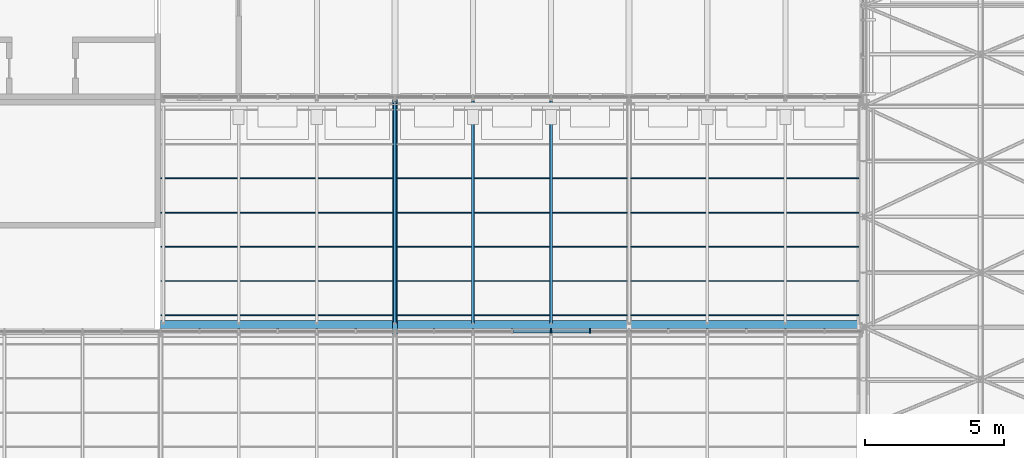
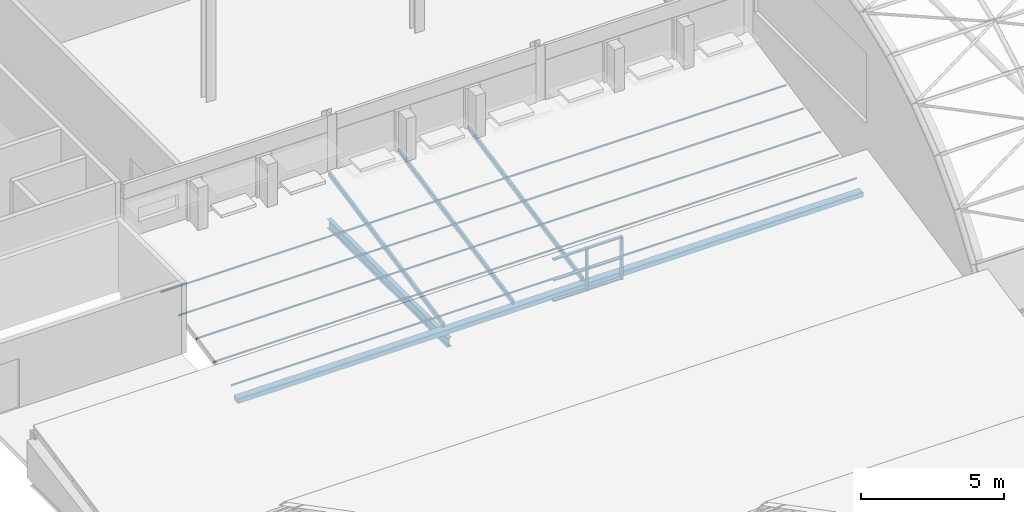
# One storey, part 34 of 121: 17 members, 1 beam, 1 element without a shape of its own.
"""IFC4 building model written with IfcOpenShell, lengths in metres."""

from ifc_helpers import new_model, si_unit, direction, frame, origin, origin_2d, place, context, subcontext, project, spatial, rectangle, hollow_rectangle, i_section, extrude, material, layer, layer_set, material_profile, profile_set, type_object, element, aggregate, save


model = new_model("IFC4")

# Units and contexts
model_context = context("Model", 3, precision=1e-05, world=origin(), true_north=direction((0.0, 1.0)))
body_context = subcontext(model_context, "Body", "Model", "MODEL_VIEW")
ifc_project = project(units=[si_unit("LENGTHUNIT", "METRE"), si_unit("AREAUNIT", "SQUARE_METRE"), si_unit("VOLUMEUNIT", "CUBIC_METRE"), si_unit("PLANEANGLEUNIT", "RADIAN"), si_unit("MASSUNIT", "GRAM", prefix="KILO")], contexts=[model_context])

# Site, building, storey
site_placement = place(None, origin())
site = spatial("IfcSite", under=ifc_project, at=site_placement, CompositionType="ELEMENT")
building_placement = place(site_placement, origin())
building = spatial("IfcBuilding", under=site, at=building_placement, Name="Ardhachandra Cancer Care Centre", CompositionType="ELEMENT")
storey_placement = place(building_placement, frame((0.0, 0.0, 9.0)))
storey = spatial("IfcBuildingStorey", under=building, at=storey_placement, Name="L02", CompositionType="ELEMENT", Elevation=9.0)

# Beam
ifc_material_1 = material(Name="Steel E350 (IS 2062)", Category="steel")
ifc_material_profile_1 = material_profile(ifc_material_1, i_section(OverallWidth=0.179931640625, OverallDepth=0.39990234375, WebThickness=0.008544921875, FlangeThickness=0.013427734375, FilletRadius=0.02099609375, at=origin_2d()), Name="NPB 400x180x66.30")
ifc_profile_set_1 = profile_set([ifc_material_profile_1], Name="Steel E350 (IS 2062)")
beam_type = type_object("IfcBeamType", Name="Beam NPB 400x180x66.30", PredefinedType="BEAM", material=ifc_profile_set_1)
beam_placement = place(storey_placement, frame((27.60009765625, 63.0, -0.199951171875), z_axis=(0.0, 1.0, 0.0), x_axis=(-1.0, 0.0, 0.0)))
element("IfcBeam", 1, at=beam_placement, inside=storey, type_object=beam_type, Name="Roof girder G3-H3", PredefinedType="BEAM", context=body_context, shape_type="SweptSolid", body=[
    extrude(i_section(OverallWidth=0.179931640625, OverallDepth=0.39990234375, WebThickness=0.008544921875, FlangeThickness=0.013427734375, FilletRadius=0.02099609375, at=origin_2d()), origin(), (0.0, 0.0, 1.0), 8.39990234375),
])

# Curtain wall, members
ifc_material_2 = material(Name="Aluminium extrusion", Category="aluminium")
ifc_layer = layer(ifc_material_2, 0.14990234375)
ifc_layer_set = layer_set([ifc_layer], Name="Aluminium extrusion")
curtain_wall_type = type_object("IfcCurtainWallType", Name="Curtain wall run", PredefinedType="NOTDEFINED", material=ifc_layer_set)
curtain_wall_placement = place(storey_placement, origin())
curtain_wall = element("IfcCurtainWall", 2, at=curtain_wall_placement, inside=storey, type_object=curtain_wall_type, Name="Curtain wall L02 n/0010800_0063100", PredefinedType="NOTDEFINED")
ifc_material_3 = material(Name="Aluminium extrusion", Category="aluminium")
ifc_material_profile_2 = material_profile(ifc_material_3, rectangle(XDim=0.159912109375, YDim=0.06005859375, at=origin_2d()), Name="Curtain wall mullion 60 x 160")
ifc_profile_set_2 = profile_set([ifc_material_profile_2], Name="Aluminium extrusion")
member_type_1 = type_object("IfcMemberType", Name="Curtain wall mullion 60 x 160", PredefinedType="MULLION", material=ifc_profile_set_2)
member_1_placement = place(storey_placement, frame((33.199951171875, 63.10009765625, 0.0), z_axis=(0.0, 0.0, 1.0), x_axis=(0.0, 1.0, 0.0)))
member_1 = element("IfcMember", 3, at=member_1_placement, type_object=member_type_1, Name="CW mullion 17", PredefinedType="MULLION", context=body_context, shape_type="SweptSolid", body=[
    extrude(rectangle(XDim=0.159912109375, YDim=0.06005859375, at=origin_2d()), origin(), (0.0, 0.0, 1.0), 1.820068359375),
])
member_2_placement = place(storey_placement, frame((34.60009765625, 63.10009765625, 0.0), z_axis=(0.0, 0.0, 1.0), x_axis=(0.0, 1.0, 0.0)))
member_2 = element("IfcMember", 4, at=member_2_placement, type_object=member_type_1, Name="CW mullion 18", PredefinedType="MULLION", context=body_context, shape_type="SweptSolid", body=[
    extrude(rectangle(XDim=0.159912109375, YDim=0.06005859375, at=origin_2d()), origin(), (0.0, 0.0, 1.0), 1.820068359375),
])
ifc_material_4 = material(Name="Aluminium extrusion", Category="aluminium")
ifc_material_profile_3 = material_profile(ifc_material_4, rectangle(XDim=0.1201171875, YDim=0.06005859375, at=origin_2d()), Name="Curtain wall transom 60 x 120")
ifc_profile_set_3 = profile_set([ifc_material_profile_3], Name="Aluminium extrusion")
member_type_2 = type_object("IfcMemberType", Name="Curtain wall transom 60 x 120", PredefinedType="USERDEFINED", material=ifc_profile_set_3)
member_3_placement = place(storey_placement, frame((31.830078125, 63.10009765625, 0.030029296875), z_axis=(1.0, 0.0, 0.0), x_axis=(0.0, 1.0, 0.0)))
member_3 = element("IfcMember", 5, at=member_3_placement, type_object=member_type_2, Name="CW transom 16.1", ObjectType="TRANSOM", PredefinedType="USERDEFINED", context=body_context, shape_type="SweptSolid", body=[
    extrude(rectangle(XDim=0.1201171875, YDim=0.06005859375, at=origin_2d()), origin(), (0.0, 0.0, 1.0), 1.33984375),
])
member_4_placement = place(storey_placement, frame((31.830078125, 63.10009765625, 0.909912109375), z_axis=(1.0, 0.0, 0.0), x_axis=(0.0, 1.0, 0.0)))
member_4 = element("IfcMember", 6, at=member_4_placement, type_object=member_type_2, Name="CW transom 16.2", ObjectType="TRANSOM", PredefinedType="USERDEFINED", context=body_context, shape_type="SweptSolid", body=[
    extrude(rectangle(XDim=0.1201171875, YDim=0.06005859375, at=origin_2d()), origin(), (0.0, 0.0, 1.0), 1.33984375),
])
member_5_placement = place(storey_placement, frame((31.830078125, 63.10009765625, 1.7900390625), z_axis=(1.0, 0.0, 0.0), x_axis=(0.0, 1.0, 0.0)))
member_5 = element("IfcMember", 7, at=member_5_placement, type_object=member_type_2, Name="CW transom 16.3", ObjectType="TRANSOM", PredefinedType="USERDEFINED", context=body_context, shape_type="SweptSolid", body=[
    extrude(rectangle(XDim=0.1201171875, YDim=0.06005859375, at=origin_2d()), origin(), (0.0, 0.0, 1.0), 1.33984375),
])
member_6_placement = place(storey_placement, frame((33.22998046875, 63.10009765625, 0.030029296875), z_axis=(1.0, 0.0, 0.0), x_axis=(0.0, 1.0, 0.0)))
member_6 = element("IfcMember", 8, at=member_6_placement, type_object=member_type_2, Name="CW transom 17.1", ObjectType="TRANSOM", PredefinedType="USERDEFINED", context=body_context, shape_type="SweptSolid", body=[
    extrude(rectangle(XDim=0.1201171875, YDim=0.06005859375, at=origin_2d()), origin(), (0.0, 0.0, 1.0), 1.340087890625),
])
member_7_placement = place(storey_placement, frame((33.22998046875, 63.10009765625, 0.909912109375), z_axis=(1.0, 0.0, 0.0), x_axis=(0.0, 1.0, 0.0)))
member_7 = element("IfcMember", 9, at=member_7_placement, type_object=member_type_2, Name="CW transom 17.2", ObjectType="TRANSOM", PredefinedType="USERDEFINED", context=body_context, shape_type="SweptSolid", body=[
    extrude(rectangle(XDim=0.1201171875, YDim=0.06005859375, at=origin_2d()), origin(), (0.0, 0.0, 1.0), 1.340087890625),
])
member_8_placement = place(storey_placement, frame((33.22998046875, 63.10009765625, 1.7900390625), z_axis=(1.0, 0.0, 0.0), x_axis=(0.0, 1.0, 0.0)))
member_8 = element("IfcMember", 10, at=member_8_placement, type_object=member_type_2, Name="CW transom 17.3", ObjectType="TRANSOM", PredefinedType="USERDEFINED", context=body_context, shape_type="SweptSolid", body=[
    extrude(rectangle(XDim=0.1201171875, YDim=0.06005859375, at=origin_2d()), origin(), (0.0, 0.0, 1.0), 1.340087890625),
])
aggregate(curtain_wall, [member_1, member_2, member_3, member_4, member_5, member_6, member_7, member_8])

# Members
ifc_material_5 = material(Name="Steel E350 (IS 2062)", Category="steel")
ifc_material_profile_4 = material_profile(ifc_material_5, hollow_rectangle(XDim=0.0400390625, YDim=0.080078125, WallThickness=0.00390625, InnerFilletRadius=0.00390625, OuterFilletRadius=0.008056640625, at=origin_2d()), Name="RHS 80x40x4.0")
ifc_profile_set_4 = profile_set([ifc_material_profile_4], Name="Steel E350 (IS 2062)")
member_type_3 = type_object("IfcMemberType", Name="Roof purlin RHS 80x40x4.0", PredefinedType="PURLIN", material=ifc_profile_set_4)
for number, where, z_axis, x_axis, name in (
    (11, (19.199951171875, 63.67236328125, 0.5), (1.0, 0.0, 0.0), (0.0, 0.980106641092, 0.198471590126), "Purlin T5a.1"),
    (12, (19.199951171875, 64.89892578125, 0.74853515625), (1.0, 0.0, 0.0), (0.0, 0.980106641092, 0.198471590126), "Purlin T5a.2"),
    (13, (19.199951171875, 66.125732421875, 0.996826171875), (1.0, 0.0, 0.0), (0.0, 0.980106641092, 0.198471590126), "Purlin T5a.3"),
    (14, (19.199951171875, 67.352294921875, 1.2451171875), (1.0, 0.0, 0.0), (0.0, 0.980106641092, 0.198471590126), "Purlin T5a.4"),
    (15, (19.199951171875, 68.5791015625, 1.49365234375), (1.0, 0.0, 0.0), (0.0, 0.980106641092, 0.198471590126), "Purlin T5a.5"),
):
    element("IfcMember", number, at=place(storey_placement, frame(where, z_axis=z_axis, x_axis=x_axis)), inside=storey, type_object=member_type_3, Name=name, PredefinedType="PURLIN", context=body_context, shape_type="SweptSolid", body=[
        extrude(hollow_rectangle(XDim=0.0400390625, YDim=0.080078125, WallThickness=0.00390625, InnerFilletRadius=0.00390625, OuterFilletRadius=0.008056640625, at=origin_2d()), origin(), (0.0, 0.0, 1.0), 25.199951171875),
    ])
ifc_material_6 = material(Name="Steel E350 (IS 2062)", Category="steel")
ifc_material_profile_5 = material_profile(ifc_material_6, hollow_rectangle(XDim=0.10009765625, YDim=0.199951171875, WallThickness=0.006103515625, InnerFilletRadius=0.006103515625, OuterFilletRadius=0.011962890625, at=origin_2d()), Name="RHS 200x100x6.0")
ifc_profile_set_5 = profile_set([ifc_material_profile_5], Name="Steel E350 (IS 2062)")
member_type_4 = type_object("IfcMemberType", Name="Roof rafter RHS 200x100x6.0", PredefinedType="RAFTER", material=ifc_profile_set_5)
for number, where, z_axis, x_axis, name in (
    (16, (27.60009765625, 63.380126953125, 0.298095703125), (0.0, 0.980109665583, 0.198456653782), (-1.0, 0.0, 0.0), "Rafter T5a.4"),
    (17, (30.39990234375, 63.380126953125, 0.298095703125), (0.0, 0.980109665583, 0.198456653782), (-1.0, 0.0, 0.0), "Rafter T5a.5"),
    (18, (33.199951171875, 63.380126953125, 0.298095703125), (0.0, 0.980109665583, 0.198456653782), (-1.0, 0.0, 0.0), "Rafter T5a.6"),
):
    element("IfcMember", number, at=place(storey_placement, frame(where, z_axis=z_axis, x_axis=x_axis)), inside=storey, type_object=member_type_4, Name=name, PredefinedType="RAFTER", context=body_context, shape_type="SweptSolid", body=[
        extrude(hollow_rectangle(XDim=0.10009765625, YDim=0.199951171875, WallThickness=0.006103515625, InnerFilletRadius=0.006103515625, OuterFilletRadius=0.011962890625, at=origin_2d()), origin(), (0.0, 0.0, 1.0), 8.162353515625),
    ])
ifc_material_7 = material(Name="Stainless steel sheet gutter on galvanised steel cradle", Category="steel")
ifc_material_profile_6 = material_profile(ifc_material_7, rectangle(XDim=0.300048828125, YDim=0.199951171875, at=origin_2d()), Name="Valley gutter 300 x 200")
ifc_profile_set_6 = profile_set([ifc_material_profile_6], Name="Stainless steel sheet gutter on galvanised steel cradle")
member_type_5 = type_object("IfcMemberType", Name="Valley gutter 300 x 200", PredefinedType="USERDEFINED", material=ifc_profile_set_6)
member_9_placement = place(storey_placement, frame((19.199951171875, 63.340087890625, 0.10009765625), z_axis=(1.0, 0.0, 0.0), x_axis=(0.0, 1.0, 0.0)))
element("IfcMember", 19, at=member_9_placement, inside=storey, type_object=member_type_5, Name="Valley gutter T5a", ObjectType="GUTTER", PredefinedType="USERDEFINED", context=body_context, shape_type="SweptSolid", body=[
    extrude(rectangle(XDim=0.300048828125, YDim=0.199951171875, at=origin_2d()), origin(), (0.0, 0.0, 1.0), 25.199951171875),
])

save(model, "model.ifc")
